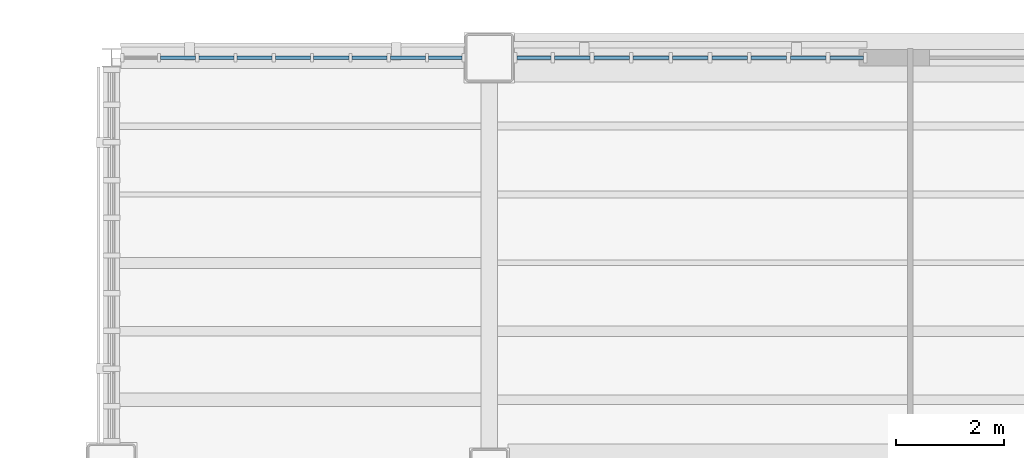
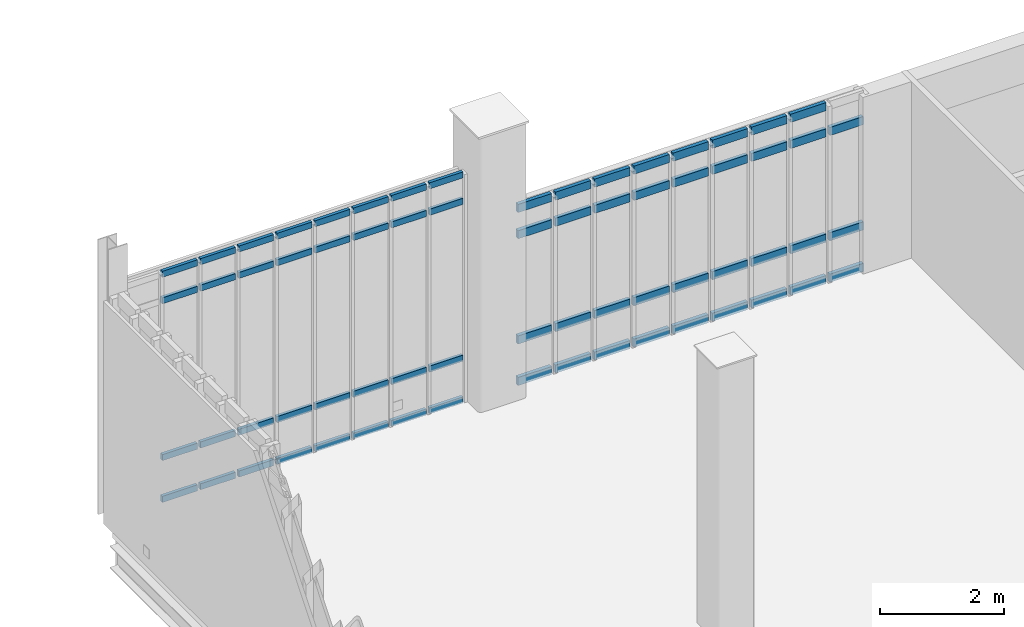
# One storey, part 66 of 127: 67 members, 2 elements without a shape of their own.
"""IFC4 building model written with IfcOpenShell, lengths in metres."""

import ifcopenshell
import ifcopenshell.guid

model = None  # the IFC model being written
_history = None  # IfcOwnerHistory: only IFC2X3 demands one
_inside = {}  # id of a spatial element -> (the spatial element, [elements in it])
_under = {}  # id of a project, library or spatial element -> (it, [spatial elements below it])
_declared = {}  # id of a project -> (the project, [libraries it declares])
_typed = {}  # id of a type object -> (the type object, [elements of that type])
_made_of = {}  # id of a material, layer set ... -> (it, [elements and type objects made of it])


def new_model(schema):
    """Start an empty IFC model of exactly this schema.

    Asked for "IFC4X3", IfcOpenShell would pick the latest addendum, in which some entities
    have other attributes; the version numbers below select the first issue.
    IFC2X3 requires an IfcOwnerHistory on every rooted entity: one is made here for all.
    """
    global model, _history
    if schema == "IFC4X3":
        model = ifcopenshell.file(schema_version=(4, 3, 0, 0))
    else:
        model = ifcopenshell.file(schema=schema)
    _inside.clear()
    _under.clear()
    _declared.clear()
    _typed.clear()
    _made_of.clear()
    _history = None
    if model.schema == "IFC2X3":
        org = make("IfcOrganization", Name="unknown")
        user = make(
            "IfcPersonAndOrganization",
            ThePerson=make("IfcPerson", FamilyName="unknown"),
            TheOrganization=org,
        )
        app = make(
            "IfcApplication",
            ApplicationDeveloper=org,
            Version="unknown",
            ApplicationFullName="unknown",
            ApplicationIdentifier="unknown",
        )
        _history = make(
            "IfcOwnerHistory",
            OwningUser=user,
            OwningApplication=app,
            ChangeAction="ADDED",
            CreationDate=0,
        )
    return model


def make(cls, **values):
    """One entity of the class cls with the attributes given. An attribute that is None is left unset."""
    return model.create_entity(
        cls, **{name: value for name, value in values.items() if value is not None}
    )


def rooted(cls, **values):
    """An entity with a GlobalId (a new one), such as an element, a storey or a relation."""
    return make(cls, GlobalId=ifcopenshell.guid.new(), OwnerHistory=_history, **values)


def si_unit(unit_type, name, prefix=None):
    """IfcSIUnit, for example si_unit("LENGTHUNIT", "METRE", prefix="MILLI")."""
    return make("IfcSIUnit", UnitType=unit_type, Prefix=prefix, Name=name)


def assignment(units):
    """IfcUnitAssignment: the units of a project."""
    return None if units is None else make("IfcUnitAssignment", Units=units)


def point(xyz):
    """IfcCartesianPoint."""
    return None if xyz is None else make("IfcCartesianPoint", Coordinates=xyz)


def direction(xyz):
    """IfcDirection."""
    return None if xyz is None else make("IfcDirection", DirectionRatios=xyz)


def frame(location, z_axis=None, x_axis=None):
    """IfcAxis2Placement3D, a coordinate frame: its origin and axes. An axis left out is left unset."""
    return make(
        "IfcAxis2Placement3D",
        Location=point(location),
        Axis=direction(z_axis),
        RefDirection=direction(x_axis),
    )


def frame_2d(location, x_axis=None):
    """IfcAxis2Placement2D, a coordinate frame in the plane: its origin and x axis."""
    return make(
        "IfcAxis2Placement2D", Location=point(location), RefDirection=direction(x_axis)
    )


def origin():
    """The frame at (0, 0, 0) with its axes left unset."""
    return frame((0.0, 0.0, 0.0))


def origin_2d():
    """The frame at (0, 0) in the plane with its x axis left unset."""
    return frame_2d((0.0, 0.0))


def place(relative_to, where):
    """IfcLocalPlacement: puts the frame where relative to a parent placement (None: the world)."""
    return make(
        "IfcLocalPlacement", PlacementRelTo=relative_to, RelativePlacement=where
    )


def context(
    kind, dimensions, precision=None, world=None, true_north=None, identifier=None
):
    """IfcGeometricRepresentationContext, for example the 3D "Model" context."""
    return make(
        "IfcGeometricRepresentationContext",
        ContextIdentifier=identifier,
        ContextType=kind,
        CoordinateSpaceDimension=dimensions,
        Precision=precision,
        WorldCoordinateSystem=world,
        TrueNorth=true_north,
    )


def subcontext(parent, identifier, kind, view, scale=None):
    """IfcGeometricRepresentationSubContext, for example "Body" below "Model"."""
    return make(
        "IfcGeometricRepresentationSubContext",
        ContextIdentifier=identifier,
        ContextType=kind,
        ParentContext=parent,
        TargetScale=scale,
        TargetView=view,
    )


def project(units=None, contexts=None):
    """IfcProject with its units and contexts."""
    return rooted(
        "IfcProject",
        Name="project",
        RepresentationContexts=contexts,
        UnitsInContext=assignment(units),
    )


def spatial(cls, under=None, at=None, **own):
    """A site, building, storey or space (cls), placed at a placement, below another one or the project."""
    s = rooted(cls, ObjectPlacement=at, **own)
    if under is not None:
        _under.setdefault(under.id(), (under, []))[1].append(s)
    return s


def profile(cls, at=None, kind="AREA", **sizes):
    """A parametric profile (cls). Its sizes go by their IFC names, for example OverallWidth=200.0."""
    return make(cls, ProfileType=kind, Position=at, **sizes)


def rectangle(**sizes):
    """IfcRectangleProfileDef."""
    return profile("IfcRectangleProfileDef", **sizes)


def extrude(swept, where, along, depth):
    """IfcExtrudedAreaSolid: the profile swept, set in the frame where, extruded along a direction by depth."""
    return make(
        "IfcExtrudedAreaSolid",
        SweptArea=swept,
        Position=where,
        ExtrudedDirection=direction(along),
        Depth=depth,
    )


def shape(context_of_items, identifier, shape_type, items):
    """IfcShapeRepresentation: the items that make up one representation, for example the "Body"."""
    return make(
        "IfcShapeRepresentation",
        ContextOfItems=context_of_items,
        RepresentationIdentifier=identifier,
        RepresentationType=shape_type,
        Items=items,
    )


def material(Name=None, Category=None):
    """IfcMaterial."""
    return make("IfcMaterial", Name=Name, Category=Category)


def material_profile(
    of_material, cross_section, Name=None, Category=None, Priority=None
):
    """IfcMaterialProfile: a cross section and its material."""
    return make(
        "IfcMaterialProfile",
        Name=Name,
        Material=of_material,
        Profile=cross_section,
        Priority=Priority,
        Category=Category,
    )


def profile_set(profiles, Name=None, composite=None):
    """IfcMaterialProfileSet."""
    return make(
        "IfcMaterialProfileSet",
        Name=Name,
        MaterialProfiles=profiles,
        CompositeProfile=composite,
    )


def made_of(thing, what):
    """Note that an element or type object is made of a material, layer set ...; save() writes the relation."""
    if what is not None:
        _made_of.setdefault(what.id(), (what, []))[1].append(thing)
    return thing


def type_object(cls, material=None, **own):
    """A type object (cls), such as IfcWallType, which elements share."""
    return made_of(rooted(cls, **own), material)


def element(
    cls,
    number,
    at=None,
    inside=None,
    cuts=None,
    type_object=None,
    material=None,
    context=None,
    identifier="Body",
    shape_type=None,
    held_by="IfcProductDefinitionShape",
    body=None,
    shapes=None,
    **own,
):
    """One element of the class cls, such as IfcWall. Its Tag is "e" and its number.

    at: its placement. inside: the storey or other place that contains it. cuts: it is an
    opening in that element (IfcRelVoidsElement). A single representation is given by context,
    identifier, shape_type and body (its items); several are given by shapes. held_by: the class
    of the entity that holds the representations. save() writes the other relations.
    """
    e = rooted(cls, Tag="e%d" % number, ObjectPlacement=at, **own)
    if body is not None:
        shapes = [shape(context, identifier, shape_type, body)]
    if shapes is not None:
        e.Representation = make(held_by, Representations=shapes)
    if inside is not None:
        _inside.setdefault(inside.id(), (inside, []))[1].append(e)
    if cuts is not None:
        rooted(
            "IfcRelVoidsElement", RelatingBuildingElement=cuts, RelatedOpeningElement=e
        )
    if type_object is not None:
        _typed.setdefault(type_object.id(), (type_object, []))[1].append(e)
    return made_of(e, material)


def aggregate(whole, parts):
    """IfcRelAggregates: a whole, such as a stair, and the parts it consists of."""
    return rooted("IfcRelAggregates", RelatingObject=whole, RelatedObjects=parts)


def save(model, path):
    """Write the relations noted so far, then the file.

    IfcRelAggregates (storeys below a building ...), IfcRelContainedInSpatialStructure (elements
    in a storey), IfcRelDefinesByType, IfcRelAssociatesMaterial and IfcRelDeclares: one each for
    every whole, place, type object, material and project.
    """
    for whole, parts in _under.values():
        aggregate(whole, parts)
    for where, things in _inside.values():
        rooted(
            "IfcRelContainedInSpatialStructure",
            RelatedElements=things,
            RelatingStructure=where,
        )
    for kind, things in _typed.values():
        rooted("IfcRelDefinesByType", RelatedObjects=things, RelatingType=kind)
    for what, things in _made_of.values():
        rooted("IfcRelAssociatesMaterial", RelatedObjects=things, RelatingMaterial=what)
    for by, libraries in _declared.values():
        rooted("IfcRelDeclares", RelatingContext=by, RelatedDefinitions=libraries)
    model.write(path)


model = new_model("IFC4")

# Units and contexts
model_context = context("Model", 3, precision=1e-05, world=origin(), true_north=direction((0.0, 1.0)))
body_context = subcontext(model_context, "Body", "Model", "MODEL_VIEW")
ifc_project = project(units=[si_unit("LENGTHUNIT", "METRE"), si_unit("AREAUNIT", "SQUARE_METRE"), si_unit("VOLUMEUNIT", "CUBIC_METRE"), si_unit("PLANEANGLEUNIT", "RADIAN"), si_unit("MASSUNIT", "GRAM", prefix="KILO")], contexts=[model_context])

# Site, building, storey
site_placement = place(None, origin())
site = spatial("IfcSite", under=ifc_project, at=site_placement, CompositionType="ELEMENT")
building_placement = place(site_placement, origin())
building = spatial("IfcBuilding", under=site, at=building_placement, Name="Larkvane Passage Sports Hall", CompositionType="ELEMENT")
storey_placement = place(building_placement, frame((0.0, 0.0, 5.39990234375)))
storey = spatial("IfcBuildingStorey", under=building, at=storey_placement, Name="L01", CompositionType="ELEMENT", Elevation=5.39990234375)

# Curtain wall, members
ifc_material_1 = material(Name="Thermally broken aluminium and low-E glazing", Category="aluminium")
curtain_wall_type_1 = type_object("IfcCurtainWallType", Name="CW-UNIT-COURT", PredefinedType="USERDEFINED", material=ifc_material_1)
curtain_wall_1_placement = place(storey_placement, origin())
curtain_wall_1 = element("IfcCurtainWall", 1, at=curtain_wall_1_placement, inside=storey, type_object=curtain_wall_type_1, Name="Curtain wall CW5-L01-052", ObjectType="UNITISED CURTAIN WALL", PredefinedType="USERDEFINED")
ifc_material_2 = material(Name="Anodised aluminium 6063-T6", Category="aluminium")
ifc_material_profile_1 = material_profile(ifc_material_2, rectangle(XDim=0.06005859375, YDim=0.1201171875, at=origin_2d()), Name="ALU-TRN-60x120")
ifc_profile_set_1 = profile_set([ifc_material_profile_1], Name="Anodised aluminium 6063-T6")
member_type_1 = type_object("IfcMemberType", Name="CW-TRN-60x120", PredefinedType="USERDEFINED", material=ifc_profile_set_1)
member_1_placement = place(storey_placement, frame((125.51025390625, 99.199951171875, 0.030029296875), z_axis=(1.0, 0.0, 0.0), x_axis=(0.0, 1.0, 0.0)))
member_1 = element("IfcMember", 2, at=member_1_placement, type_object=member_type_1, Name="CW-01 transom 2.1", ObjectType="TRANSOM", PredefinedType="USERDEFINED", context=body_context, shape_type="SweptSolid", body=[
    extrude(rectangle(XDim=0.06005859375, YDim=0.1201171875, at=origin_2d()), origin(), (0.0, 0.0, 1.0), 0.649169921875),
])
member_2_placement = place(storey_placement, frame((125.51025390625, 99.199951171875, 0.85009765625), z_axis=(1.0, 0.0, 0.0), x_axis=(0.0, 1.0, 0.0)))
member_2 = element("IfcMember", 3, at=member_2_placement, type_object=member_type_1, Name="CW-01 transom 2.2", ObjectType="TRANSOM", PredefinedType="USERDEFINED", context=body_context, shape_type="SweptSolid", body=[
    extrude(rectangle(XDim=0.06005859375, YDim=0.1201171875, at=origin_2d()), origin(), (0.0, 0.0, 1.0), 0.649169921875),
])
member_3_placement = place(storey_placement, frame((125.51025390625, 99.199951171875, 3.93017578125), z_axis=(1.0, 0.0, 0.0), x_axis=(0.0, 1.0, 0.0)))
member_3 = element("IfcMember", 4, at=member_3_placement, type_object=member_type_1, Name="CW-01 transom 2.3", ObjectType="TRANSOM", PredefinedType="USERDEFINED", context=body_context, shape_type="SweptSolid", body=[
    extrude(rectangle(XDim=0.06005859375, YDim=0.1201171875, at=origin_2d()), origin(), (0.0, 0.0, 1.0), 0.649169921875),
])
member_4_placement = place(storey_placement, frame((125.51025390625, 99.199951171875, 4.4501953125), z_axis=(1.0, 0.0, 0.0), x_axis=(0.0, 1.0, 0.0)))
member_4 = element("IfcMember", 5, at=member_4_placement, type_object=member_type_1, Name="CW-01 transom 2.4", ObjectType="TRANSOM", PredefinedType="USERDEFINED", context=body_context, shape_type="SweptSolid", body=[
    extrude(rectangle(XDim=0.06005859375, YDim=0.1201171875, at=origin_2d()), origin(), (0.0, 0.0, 1.0), 0.649169921875),
])
member_5_placement = place(storey_placement, frame((126.219482421875, 99.199951171875, 0.030029296875), z_axis=(1.0, 0.0, 0.0), x_axis=(0.0, 1.0, 0.0)))
member_5 = element("IfcMember", 6, at=member_5_placement, type_object=member_type_1, Name="CW-01 transom 3.1", ObjectType="TRANSOM", PredefinedType="USERDEFINED", context=body_context, shape_type="SweptSolid", body=[
    extrude(rectangle(XDim=0.06005859375, YDim=0.1201171875, at=origin_2d()), origin(), (0.0, 0.0, 1.0), 0.649169921875),
])
member_6_placement = place(storey_placement, frame((126.219482421875, 99.199951171875, 0.85009765625), z_axis=(1.0, 0.0, 0.0), x_axis=(0.0, 1.0, 0.0)))
member_6 = element("IfcMember", 7, at=member_6_placement, type_object=member_type_1, Name="CW-01 transom 3.2", ObjectType="TRANSOM", PredefinedType="USERDEFINED", context=body_context, shape_type="SweptSolid", body=[
    extrude(rectangle(XDim=0.06005859375, YDim=0.1201171875, at=origin_2d()), origin(), (0.0, 0.0, 1.0), 0.649169921875),
])
member_7_placement = place(storey_placement, frame((126.219482421875, 99.199951171875, 3.93017578125), z_axis=(1.0, 0.0, 0.0), x_axis=(0.0, 1.0, 0.0)))
member_7 = element("IfcMember", 8, at=member_7_placement, type_object=member_type_1, Name="CW-01 transom 3.3", ObjectType="TRANSOM", PredefinedType="USERDEFINED", context=body_context, shape_type="SweptSolid", body=[
    extrude(rectangle(XDim=0.06005859375, YDim=0.1201171875, at=origin_2d()), origin(), (0.0, 0.0, 1.0), 0.649169921875),
])
member_8_placement = place(storey_placement, frame((126.219482421875, 99.199951171875, 4.4501953125), z_axis=(1.0, 0.0, 0.0), x_axis=(0.0, 1.0, 0.0)))
member_8 = element("IfcMember", 9, at=member_8_placement, type_object=member_type_1, Name="CW-01 transom 3.4", ObjectType="TRANSOM", PredefinedType="USERDEFINED", context=body_context, shape_type="SweptSolid", body=[
    extrude(rectangle(XDim=0.06005859375, YDim=0.1201171875, at=origin_2d()), origin(), (0.0, 0.0, 1.0), 0.649169921875),
])
member_9_placement = place(storey_placement, frame((126.9287109375, 99.199951171875, 0.030029296875), z_axis=(1.0, 0.0, 0.0), x_axis=(0.0, 1.0, 0.0)))
member_9 = element("IfcMember", 10, at=member_9_placement, type_object=member_type_1, Name="CW-01 transom 4.1", ObjectType="TRANSOM", PredefinedType="USERDEFINED", context=body_context, shape_type="SweptSolid", body=[
    extrude(rectangle(XDim=0.06005859375, YDim=0.1201171875, at=origin_2d()), origin(), (0.0, 0.0, 1.0), 0.649169921875),
])
member_10_placement = place(storey_placement, frame((126.9287109375, 99.199951171875, 0.85009765625), z_axis=(1.0, 0.0, 0.0), x_axis=(0.0, 1.0, 0.0)))
member_10 = element("IfcMember", 11, at=member_10_placement, type_object=member_type_1, Name="CW-01 transom 4.2", ObjectType="TRANSOM", PredefinedType="USERDEFINED", context=body_context, shape_type="SweptSolid", body=[
    extrude(rectangle(XDim=0.06005859375, YDim=0.1201171875, at=origin_2d()), origin(), (0.0, 0.0, 1.0), 0.649169921875),
])
member_11_placement = place(storey_placement, frame((126.9287109375, 99.199951171875, 3.93017578125), z_axis=(1.0, 0.0, 0.0), x_axis=(0.0, 1.0, 0.0)))
member_11 = element("IfcMember", 12, at=member_11_placement, type_object=member_type_1, Name="CW-01 transom 4.3", ObjectType="TRANSOM", PredefinedType="USERDEFINED", context=body_context, shape_type="SweptSolid", body=[
    extrude(rectangle(XDim=0.06005859375, YDim=0.1201171875, at=origin_2d()), origin(), (0.0, 0.0, 1.0), 0.649169921875),
])
member_12_placement = place(storey_placement, frame((126.9287109375, 99.199951171875, 4.4501953125), z_axis=(1.0, 0.0, 0.0), x_axis=(0.0, 1.0, 0.0)))
member_12 = element("IfcMember", 13, at=member_12_placement, type_object=member_type_1, Name="CW-01 transom 4.4", ObjectType="TRANSOM", PredefinedType="USERDEFINED", context=body_context, shape_type="SweptSolid", body=[
    extrude(rectangle(XDim=0.06005859375, YDim=0.1201171875, at=origin_2d()), origin(), (0.0, 0.0, 1.0), 0.649169921875),
])
member_13_placement = place(storey_placement, frame((127.637939453125, 99.199951171875, 0.030029296875), z_axis=(1.0, 0.0, 0.0), x_axis=(0.0, 1.0, 0.0)))
member_13 = element("IfcMember", 14, at=member_13_placement, type_object=member_type_1, Name="CW-01 transom 5.1", ObjectType="TRANSOM", PredefinedType="USERDEFINED", context=body_context, shape_type="SweptSolid", body=[
    extrude(rectangle(XDim=0.06005859375, YDim=0.1201171875, at=origin_2d()), origin(), (0.0, 0.0, 1.0), 0.649169921875),
])
member_14_placement = place(storey_placement, frame((127.637939453125, 99.199951171875, 0.85009765625), z_axis=(1.0, 0.0, 0.0), x_axis=(0.0, 1.0, 0.0)))
member_14 = element("IfcMember", 15, at=member_14_placement, type_object=member_type_1, Name="CW-01 transom 5.2", ObjectType="TRANSOM", PredefinedType="USERDEFINED", context=body_context, shape_type="SweptSolid", body=[
    extrude(rectangle(XDim=0.06005859375, YDim=0.1201171875, at=origin_2d()), origin(), (0.0, 0.0, 1.0), 0.649169921875),
])
member_15_placement = place(storey_placement, frame((127.637939453125, 99.199951171875, 3.93017578125), z_axis=(1.0, 0.0, 0.0), x_axis=(0.0, 1.0, 0.0)))
member_15 = element("IfcMember", 16, at=member_15_placement, type_object=member_type_1, Name="CW-01 transom 5.3", ObjectType="TRANSOM", PredefinedType="USERDEFINED", context=body_context, shape_type="SweptSolid", body=[
    extrude(rectangle(XDim=0.06005859375, YDim=0.1201171875, at=origin_2d()), origin(), (0.0, 0.0, 1.0), 0.649169921875),
])
member_16_placement = place(storey_placement, frame((127.637939453125, 99.199951171875, 4.4501953125), z_axis=(1.0, 0.0, 0.0), x_axis=(0.0, 1.0, 0.0)))
member_16 = element("IfcMember", 17, at=member_16_placement, type_object=member_type_1, Name="CW-01 transom 5.4", ObjectType="TRANSOM", PredefinedType="USERDEFINED", context=body_context, shape_type="SweptSolid", body=[
    extrude(rectangle(XDim=0.06005859375, YDim=0.1201171875, at=origin_2d()), origin(), (0.0, 0.0, 1.0), 0.649169921875),
])
member_17_placement = place(storey_placement, frame((128.34716796875, 99.199951171875, 0.030029296875), z_axis=(1.0, 0.0, 0.0), x_axis=(0.0, 1.0, 0.0)))
member_17 = element("IfcMember", 18, at=member_17_placement, type_object=member_type_1, Name="CW-01 transom 6.1", ObjectType="TRANSOM", PredefinedType="USERDEFINED", context=body_context, shape_type="SweptSolid", body=[
    extrude(rectangle(XDim=0.06005859375, YDim=0.1201171875, at=origin_2d()), origin(), (0.0, 0.0, 1.0), 0.649169921875),
])
member_18_placement = place(storey_placement, frame((128.34716796875, 99.199951171875, 0.85009765625), z_axis=(1.0, 0.0, 0.0), x_axis=(0.0, 1.0, 0.0)))
member_18 = element("IfcMember", 19, at=member_18_placement, type_object=member_type_1, Name="CW-01 transom 6.2", ObjectType="TRANSOM", PredefinedType="USERDEFINED", context=body_context, shape_type="SweptSolid", body=[
    extrude(rectangle(XDim=0.06005859375, YDim=0.1201171875, at=origin_2d()), origin(), (0.0, 0.0, 1.0), 0.649169921875),
])
member_19_placement = place(storey_placement, frame((128.34716796875, 99.199951171875, 3.93017578125), z_axis=(1.0, 0.0, 0.0), x_axis=(0.0, 1.0, 0.0)))
member_19 = element("IfcMember", 20, at=member_19_placement, type_object=member_type_1, Name="CW-01 transom 6.3", ObjectType="TRANSOM", PredefinedType="USERDEFINED", context=body_context, shape_type="SweptSolid", body=[
    extrude(rectangle(XDim=0.06005859375, YDim=0.1201171875, at=origin_2d()), origin(), (0.0, 0.0, 1.0), 0.649169921875),
])
member_20_placement = place(storey_placement, frame((128.34716796875, 99.199951171875, 4.4501953125), z_axis=(1.0, 0.0, 0.0), x_axis=(0.0, 1.0, 0.0)))
member_20 = element("IfcMember", 21, at=member_20_placement, type_object=member_type_1, Name="CW-01 transom 6.4", ObjectType="TRANSOM", PredefinedType="USERDEFINED", context=body_context, shape_type="SweptSolid", body=[
    extrude(rectangle(XDim=0.06005859375, YDim=0.1201171875, at=origin_2d()), origin(), (0.0, 0.0, 1.0), 0.649169921875),
])
member_21_placement = place(storey_placement, frame((129.056396484375, 99.199951171875, 0.030029296875), z_axis=(1.0, 0.0, 0.0), x_axis=(0.0, 1.0, 0.0)))
member_21 = element("IfcMember", 22, at=member_21_placement, type_object=member_type_1, Name="CW-01 transom 7.1", ObjectType="TRANSOM", PredefinedType="USERDEFINED", context=body_context, shape_type="SweptSolid", body=[
    extrude(rectangle(XDim=0.06005859375, YDim=0.1201171875, at=origin_2d()), origin(), (0.0, 0.0, 1.0), 0.649169921875),
])
member_22_placement = place(storey_placement, frame((129.056396484375, 99.199951171875, 0.85009765625), z_axis=(1.0, 0.0, 0.0), x_axis=(0.0, 1.0, 0.0)))
member_22 = element("IfcMember", 23, at=member_22_placement, type_object=member_type_1, Name="CW-01 transom 7.2", ObjectType="TRANSOM", PredefinedType="USERDEFINED", context=body_context, shape_type="SweptSolid", body=[
    extrude(rectangle(XDim=0.06005859375, YDim=0.1201171875, at=origin_2d()), origin(), (0.0, 0.0, 1.0), 0.649169921875),
])
member_23_placement = place(storey_placement, frame((129.056396484375, 99.199951171875, 3.93017578125), z_axis=(1.0, 0.0, 0.0), x_axis=(0.0, 1.0, 0.0)))
member_23 = element("IfcMember", 24, at=member_23_placement, type_object=member_type_1, Name="CW-01 transom 7.3", ObjectType="TRANSOM", PredefinedType="USERDEFINED", context=body_context, shape_type="SweptSolid", body=[
    extrude(rectangle(XDim=0.06005859375, YDim=0.1201171875, at=origin_2d()), origin(), (0.0, 0.0, 1.0), 0.649169921875),
])
member_24_placement = place(storey_placement, frame((129.056396484375, 99.199951171875, 4.4501953125), z_axis=(1.0, 0.0, 0.0), x_axis=(0.0, 1.0, 0.0)))
member_24 = element("IfcMember", 25, at=member_24_placement, type_object=member_type_1, Name="CW-01 transom 7.4", ObjectType="TRANSOM", PredefinedType="USERDEFINED", context=body_context, shape_type="SweptSolid", body=[
    extrude(rectangle(XDim=0.06005859375, YDim=0.1201171875, at=origin_2d()), origin(), (0.0, 0.0, 1.0), 0.649169921875),
])
member_25_placement = place(storey_placement, frame((129.765625, 99.199951171875, 0.030029296875), z_axis=(1.0, 0.0, 0.0), x_axis=(0.0, 1.0, 0.0)))
member_25 = element("IfcMember", 26, at=member_25_placement, type_object=member_type_1, Name="CW-01 transom 8.1", ObjectType="TRANSOM", PredefinedType="USERDEFINED", context=body_context, shape_type="SweptSolid", body=[
    extrude(rectangle(XDim=0.06005859375, YDim=0.1201171875, at=origin_2d()), origin(), (0.0, 0.0, 1.0), 0.649169921875),
])
member_26_placement = place(storey_placement, frame((129.765625, 99.199951171875, 0.85009765625), z_axis=(1.0, 0.0, 0.0), x_axis=(0.0, 1.0, 0.0)))
member_26 = element("IfcMember", 27, at=member_26_placement, type_object=member_type_1, Name="CW-01 transom 8.2", ObjectType="TRANSOM", PredefinedType="USERDEFINED", context=body_context, shape_type="SweptSolid", body=[
    extrude(rectangle(XDim=0.06005859375, YDim=0.1201171875, at=origin_2d()), origin(), (0.0, 0.0, 1.0), 0.649169921875),
])
member_27_placement = place(storey_placement, frame((129.765625, 99.199951171875, 3.93017578125), z_axis=(1.0, 0.0, 0.0), x_axis=(0.0, 1.0, 0.0)))
member_27 = element("IfcMember", 28, at=member_27_placement, type_object=member_type_1, Name="CW-01 transom 8.3", ObjectType="TRANSOM", PredefinedType="USERDEFINED", context=body_context, shape_type="SweptSolid", body=[
    extrude(rectangle(XDim=0.06005859375, YDim=0.1201171875, at=origin_2d()), origin(), (0.0, 0.0, 1.0), 0.649169921875),
])
member_28_placement = place(storey_placement, frame((129.765625, 99.199951171875, 4.4501953125), z_axis=(1.0, 0.0, 0.0), x_axis=(0.0, 1.0, 0.0)))
member_28 = element("IfcMember", 29, at=member_28_placement, type_object=member_type_1, Name="CW-01 transom 8.4", ObjectType="TRANSOM", PredefinedType="USERDEFINED", context=body_context, shape_type="SweptSolid", body=[
    extrude(rectangle(XDim=0.06005859375, YDim=0.1201171875, at=origin_2d()), origin(), (0.0, 0.0, 1.0), 0.649169921875),
])
member_29_placement = place(storey_placement, frame((130.474853515625, 99.199951171875, 0.030029296875), z_axis=(1.0, 0.0, 0.0), x_axis=(0.0, 1.0, 0.0)))
member_29 = element("IfcMember", 30, at=member_29_placement, type_object=member_type_1, Name="CW-01 transom 9.1", ObjectType="TRANSOM", PredefinedType="USERDEFINED", context=body_context, shape_type="SweptSolid", body=[
    extrude(rectangle(XDim=0.06005859375, YDim=0.1201171875, at=origin_2d()), origin(), (0.0, 0.0, 1.0), 0.619140625),
])
member_30_placement = place(storey_placement, frame((130.474853515625, 99.199951171875, 0.85009765625), z_axis=(1.0, 0.0, 0.0), x_axis=(0.0, 1.0, 0.0)))
member_30 = element("IfcMember", 31, at=member_30_placement, type_object=member_type_1, Name="CW-01 transom 9.2", ObjectType="TRANSOM", PredefinedType="USERDEFINED", context=body_context, shape_type="SweptSolid", body=[
    extrude(rectangle(XDim=0.06005859375, YDim=0.1201171875, at=origin_2d()), origin(), (0.0, 0.0, 1.0), 0.619140625),
])
member_31_placement = place(storey_placement, frame((130.474853515625, 99.199951171875, 3.93017578125), z_axis=(1.0, 0.0, 0.0), x_axis=(0.0, 1.0, 0.0)))
member_31 = element("IfcMember", 32, at=member_31_placement, type_object=member_type_1, Name="CW-01 transom 9.3", ObjectType="TRANSOM", PredefinedType="USERDEFINED", context=body_context, shape_type="SweptSolid", body=[
    extrude(rectangle(XDim=0.06005859375, YDim=0.1201171875, at=origin_2d()), origin(), (0.0, 0.0, 1.0), 0.619140625),
])
member_32_placement = place(storey_placement, frame((130.474853515625, 99.199951171875, 4.4501953125), z_axis=(1.0, 0.0, 0.0), x_axis=(0.0, 1.0, 0.0)))
member_32 = element("IfcMember", 33, at=member_32_placement, type_object=member_type_1, Name="CW-01 transom 9.4", ObjectType="TRANSOM", PredefinedType="USERDEFINED", context=body_context, shape_type="SweptSolid", body=[
    extrude(rectangle(XDim=0.06005859375, YDim=0.1201171875, at=origin_2d()), origin(), (0.0, 0.0, 1.0), 0.619140625),
])
aggregate(curtain_wall_1, [member_1, member_2, member_3, member_4, member_5, member_6, member_7, member_8, member_9, member_10, member_11, member_12, member_13, member_14, member_15, member_16, member_17, member_18, member_19, member_20, member_21, member_22, member_23, member_24, member_25, member_26, member_27, member_28, member_29, member_30, member_31, member_32])

curtain_wall_type_2 = type_object("IfcCurtainWallType", Name="CW-UNIT-VEIL", PredefinedType="USERDEFINED", material=ifc_material_1)
curtain_wall_2_placement = place(storey_placement, origin())
curtain_wall_2 = element("IfcCurtainWall", 34, at=curtain_wall_2_placement, inside=storey, type_object=curtain_wall_type_2, Name="Curtain wall CW5-L01-053", ObjectType="UNITISED CURTAIN WALL", PredefinedType="USERDEFINED")
ifc_material_profile_2 = material_profile(ifc_material_2, rectangle(XDim=0.070068359375, YDim=0.159912109375, at=origin_2d()), Name="ALU-TRN-70x160")
ifc_profile_set_2 = profile_set([ifc_material_profile_2], Name="Anodised aluminium 6063-T6")
member_type_2 = type_object("IfcMemberType", Name="CW-TRN-70x160", PredefinedType="USERDEFINED", material=ifc_profile_set_2)
member_33_placement = place(storey_placement, frame((132.115966796875, 99.199951171875, 0.03515625), z_axis=(1.0, 0.0, 0.0), x_axis=(0.0, 1.0, 0.0)))
member_33 = element("IfcMember", 35, at=member_33_placement, type_object=member_type_2, Name="CW-02 transom 1.1", ObjectType="TRANSOM", PredefinedType="USERDEFINED", context=body_context, shape_type="SweptSolid", body=[
    extrude(rectangle(XDim=0.070068359375, YDim=0.159912109375, at=origin_2d()), origin(), (0.0, 0.0, 1.0), 0.623291015625),
])
member_34_placement = place(storey_placement, frame((132.115966796875, 99.199951171875, 0.85009765625), z_axis=(1.0, 0.0, 0.0), x_axis=(0.0, 1.0, 0.0)))
member_34 = element("IfcMember", 36, at=member_34_placement, type_object=member_type_2, Name="CW-02 transom 1.2", ObjectType="TRANSOM", PredefinedType="USERDEFINED", context=body_context, shape_type="SweptSolid", body=[
    extrude(rectangle(XDim=0.070068359375, YDim=0.159912109375, at=origin_2d()), origin(), (0.0, 0.0, 1.0), 0.623291015625),
])
member_35_placement = place(storey_placement, frame((132.115966796875, 99.199951171875, 2.918212890625), z_axis=(1.0, 0.0, 0.0), x_axis=(0.0, 1.0, 0.0)))
member_35 = element("IfcMember", 37, at=member_35_placement, type_object=member_type_2, Name="CW-02 transom 1.3", ObjectType="TRANSOM", PredefinedType="USERDEFINED", context=body_context, shape_type="SweptSolid", body=[
    extrude(rectangle(XDim=0.070068359375, YDim=0.159912109375, at=origin_2d()), origin(), (0.0, 0.0, 1.0), 0.623291015625),
])
member_36_placement = place(storey_placement, frame((132.115966796875, 99.199951171875, 3.43310546875), z_axis=(1.0, 0.0, 0.0), x_axis=(0.0, 1.0, 0.0)))
member_36 = element("IfcMember", 38, at=member_36_placement, type_object=member_type_2, Name="CW-02 transom 1.4", ObjectType="TRANSOM", PredefinedType="USERDEFINED", context=body_context, shape_type="SweptSolid", body=[
    extrude(rectangle(XDim=0.070068359375, YDim=0.159912109375, at=origin_2d()), origin(), (0.0, 0.0, 1.0), 0.623291015625),
])
member_37_placement = place(storey_placement, frame((132.809326171875, 99.199951171875, 0.03515625), z_axis=(1.0, 0.0, 0.0), x_axis=(0.0, 1.0, 0.0)))
member_37 = element("IfcMember", 39, at=member_37_placement, type_object=member_type_2, Name="CW-02 transom 2.1", ObjectType="TRANSOM", PredefinedType="USERDEFINED", context=body_context, shape_type="SweptSolid", body=[
    extrude(rectangle(XDim=0.070068359375, YDim=0.159912109375, at=origin_2d()), origin(), (0.0, 0.0, 1.0), 0.658203125),
])
member_38_placement = place(storey_placement, frame((132.809326171875, 99.199951171875, 0.85009765625), z_axis=(1.0, 0.0, 0.0), x_axis=(0.0, 1.0, 0.0)))
member_38 = element("IfcMember", 40, at=member_38_placement, type_object=member_type_2, Name="CW-02 transom 2.2", ObjectType="TRANSOM", PredefinedType="USERDEFINED", context=body_context, shape_type="SweptSolid", body=[
    extrude(rectangle(XDim=0.070068359375, YDim=0.159912109375, at=origin_2d()), origin(), (0.0, 0.0, 1.0), 0.658203125),
])
member_39_placement = place(storey_placement, frame((132.809326171875, 99.199951171875, 2.918212890625), z_axis=(1.0, 0.0, 0.0), x_axis=(0.0, 1.0, 0.0)))
member_39 = element("IfcMember", 41, at=member_39_placement, type_object=member_type_2, Name="CW-02 transom 2.3", ObjectType="TRANSOM", PredefinedType="USERDEFINED", context=body_context, shape_type="SweptSolid", body=[
    extrude(rectangle(XDim=0.070068359375, YDim=0.159912109375, at=origin_2d()), origin(), (0.0, 0.0, 1.0), 0.658203125),
])
member_40_placement = place(storey_placement, frame((132.809326171875, 99.199951171875, 3.43310546875), z_axis=(1.0, 0.0, 0.0), x_axis=(0.0, 1.0, 0.0)))
member_40 = element("IfcMember", 42, at=member_40_placement, type_object=member_type_2, Name="CW-02 transom 2.4", ObjectType="TRANSOM", PredefinedType="USERDEFINED", context=body_context, shape_type="SweptSolid", body=[
    extrude(rectangle(XDim=0.070068359375, YDim=0.159912109375, at=origin_2d()), origin(), (0.0, 0.0, 1.0), 0.658203125),
])
member_41_placement = place(storey_placement, frame((133.537353515625, 99.199951171875, 0.03515625), z_axis=(1.0, 0.0, 0.0), x_axis=(0.0, 1.0, 0.0)))
member_41 = element("IfcMember", 43, at=member_41_placement, type_object=member_type_2, Name="CW-02 transom 3.1", ObjectType="TRANSOM", PredefinedType="USERDEFINED", context=body_context, shape_type="SweptSolid", body=[
    extrude(rectangle(XDim=0.070068359375, YDim=0.159912109375, at=origin_2d()), origin(), (0.0, 0.0, 1.0), 0.658203125),
])
member_42_placement = place(storey_placement, frame((133.537353515625, 99.199951171875, 0.85009765625), z_axis=(1.0, 0.0, 0.0), x_axis=(0.0, 1.0, 0.0)))
member_42 = element("IfcMember", 44, at=member_42_placement, type_object=member_type_2, Name="CW-02 transom 3.2", ObjectType="TRANSOM", PredefinedType="USERDEFINED", context=body_context, shape_type="SweptSolid", body=[
    extrude(rectangle(XDim=0.070068359375, YDim=0.159912109375, at=origin_2d()), origin(), (0.0, 0.0, 1.0), 0.658203125),
])
member_43_placement = place(storey_placement, frame((133.537353515625, 99.199951171875, 2.918212890625), z_axis=(1.0, 0.0, 0.0), x_axis=(0.0, 1.0, 0.0)))
member_43 = element("IfcMember", 45, at=member_43_placement, type_object=member_type_2, Name="CW-02 transom 3.3", ObjectType="TRANSOM", PredefinedType="USERDEFINED", context=body_context, shape_type="SweptSolid", body=[
    extrude(rectangle(XDim=0.070068359375, YDim=0.159912109375, at=origin_2d()), origin(), (0.0, 0.0, 1.0), 0.658203125),
])
member_44_placement = place(storey_placement, frame((133.537353515625, 99.199951171875, 3.43310546875), z_axis=(1.0, 0.0, 0.0), x_axis=(0.0, 1.0, 0.0)))
member_44 = element("IfcMember", 46, at=member_44_placement, type_object=member_type_2, Name="CW-02 transom 3.4", ObjectType="TRANSOM", PredefinedType="USERDEFINED", context=body_context, shape_type="SweptSolid", body=[
    extrude(rectangle(XDim=0.070068359375, YDim=0.159912109375, at=origin_2d()), origin(), (0.0, 0.0, 1.0), 0.658203125),
])
member_45_placement = place(storey_placement, frame((134.265625, 99.199951171875, 0.03515625), z_axis=(1.0, 0.0, 0.0), x_axis=(0.0, 1.0, 0.0)))
member_45 = element("IfcMember", 47, at=member_45_placement, type_object=member_type_2, Name="CW-02 transom 4.1", ObjectType="TRANSOM", PredefinedType="USERDEFINED", context=body_context, shape_type="SweptSolid", body=[
    extrude(rectangle(XDim=0.070068359375, YDim=0.159912109375, at=origin_2d()), origin(), (0.0, 0.0, 1.0), 0.658203125),
])
member_46_placement = place(storey_placement, frame((134.265625, 99.199951171875, 0.85009765625), z_axis=(1.0, 0.0, 0.0), x_axis=(0.0, 1.0, 0.0)))
member_46 = element("IfcMember", 48, at=member_46_placement, type_object=member_type_2, Name="CW-02 transom 4.2", ObjectType="TRANSOM", PredefinedType="USERDEFINED", context=body_context, shape_type="SweptSolid", body=[
    extrude(rectangle(XDim=0.070068359375, YDim=0.159912109375, at=origin_2d()), origin(), (0.0, 0.0, 1.0), 0.658203125),
])
member_47_placement = place(storey_placement, frame((134.265625, 99.199951171875, 2.918212890625), z_axis=(1.0, 0.0, 0.0), x_axis=(0.0, 1.0, 0.0)))
member_47 = element("IfcMember", 49, at=member_47_placement, type_object=member_type_2, Name="CW-02 transom 4.3", ObjectType="TRANSOM", PredefinedType="USERDEFINED", context=body_context, shape_type="SweptSolid", body=[
    extrude(rectangle(XDim=0.070068359375, YDim=0.159912109375, at=origin_2d()), origin(), (0.0, 0.0, 1.0), 0.658203125),
])
member_48_placement = place(storey_placement, frame((134.265625, 99.199951171875, 3.43310546875), z_axis=(1.0, 0.0, 0.0), x_axis=(0.0, 1.0, 0.0)))
member_48 = element("IfcMember", 50, at=member_48_placement, type_object=member_type_2, Name="CW-02 transom 4.4", ObjectType="TRANSOM", PredefinedType="USERDEFINED", context=body_context, shape_type="SweptSolid", body=[
    extrude(rectangle(XDim=0.070068359375, YDim=0.159912109375, at=origin_2d()), origin(), (0.0, 0.0, 1.0), 0.658203125),
])
member_49_placement = place(storey_placement, frame((134.993896484375, 99.199951171875, 0.03515625), z_axis=(1.0, 0.0, 0.0), x_axis=(0.0, 1.0, 0.0)))
member_49 = element("IfcMember", 51, at=member_49_placement, type_object=member_type_2, Name="CW-02 transom 5.1", ObjectType="TRANSOM", PredefinedType="USERDEFINED", context=body_context, shape_type="SweptSolid", body=[
    extrude(rectangle(XDim=0.070068359375, YDim=0.159912109375, at=origin_2d()), origin(), (0.0, 0.0, 1.0), 0.658203125),
])
member_50_placement = place(storey_placement, frame((134.993896484375, 99.199951171875, 0.85009765625), z_axis=(1.0, 0.0, 0.0), x_axis=(0.0, 1.0, 0.0)))
member_50 = element("IfcMember", 52, at=member_50_placement, type_object=member_type_2, Name="CW-02 transom 5.2", ObjectType="TRANSOM", PredefinedType="USERDEFINED", context=body_context, shape_type="SweptSolid", body=[
    extrude(rectangle(XDim=0.070068359375, YDim=0.159912109375, at=origin_2d()), origin(), (0.0, 0.0, 1.0), 0.658203125),
])
member_51_placement = place(storey_placement, frame((134.993896484375, 99.199951171875, 2.918212890625), z_axis=(1.0, 0.0, 0.0), x_axis=(0.0, 1.0, 0.0)))
member_51 = element("IfcMember", 53, at=member_51_placement, type_object=member_type_2, Name="CW-02 transom 5.3", ObjectType="TRANSOM", PredefinedType="USERDEFINED", context=body_context, shape_type="SweptSolid", body=[
    extrude(rectangle(XDim=0.070068359375, YDim=0.159912109375, at=origin_2d()), origin(), (0.0, 0.0, 1.0), 0.658203125),
])
member_52_placement = place(storey_placement, frame((134.993896484375, 99.199951171875, 3.43310546875), z_axis=(1.0, 0.0, 0.0), x_axis=(0.0, 1.0, 0.0)))
member_52 = element("IfcMember", 54, at=member_52_placement, type_object=member_type_2, Name="CW-02 transom 5.4", ObjectType="TRANSOM", PredefinedType="USERDEFINED", context=body_context, shape_type="SweptSolid", body=[
    extrude(rectangle(XDim=0.070068359375, YDim=0.159912109375, at=origin_2d()), origin(), (0.0, 0.0, 1.0), 0.658203125),
])
member_53_placement = place(storey_placement, frame((135.72216796875, 99.199951171875, 0.03515625), z_axis=(1.0, 0.0, 0.0), x_axis=(0.0, 1.0, 0.0)))
member_53 = element("IfcMember", 55, at=member_53_placement, type_object=member_type_2, Name="CW-02 transom 6.1", ObjectType="TRANSOM", PredefinedType="USERDEFINED", context=body_context, shape_type="SweptSolid", body=[
    extrude(rectangle(XDim=0.070068359375, YDim=0.159912109375, at=origin_2d()), origin(), (0.0, 0.0, 1.0), 0.658203125),
])
member_54_placement = place(storey_placement, frame((135.72216796875, 99.199951171875, 0.85009765625), z_axis=(1.0, 0.0, 0.0), x_axis=(0.0, 1.0, 0.0)))
member_54 = element("IfcMember", 56, at=member_54_placement, type_object=member_type_2, Name="CW-02 transom 6.2", ObjectType="TRANSOM", PredefinedType="USERDEFINED", context=body_context, shape_type="SweptSolid", body=[
    extrude(rectangle(XDim=0.070068359375, YDim=0.159912109375, at=origin_2d()), origin(), (0.0, 0.0, 1.0), 0.658203125),
])
member_55_placement = place(storey_placement, frame((135.72216796875, 99.199951171875, 2.918212890625), z_axis=(1.0, 0.0, 0.0), x_axis=(0.0, 1.0, 0.0)))
member_55 = element("IfcMember", 57, at=member_55_placement, type_object=member_type_2, Name="CW-02 transom 6.3", ObjectType="TRANSOM", PredefinedType="USERDEFINED", context=body_context, shape_type="SweptSolid", body=[
    extrude(rectangle(XDim=0.070068359375, YDim=0.159912109375, at=origin_2d()), origin(), (0.0, 0.0, 1.0), 0.658203125),
])
member_56_placement = place(storey_placement, frame((135.72216796875, 99.199951171875, 3.43310546875), z_axis=(1.0, 0.0, 0.0), x_axis=(0.0, 1.0, 0.0)))
member_56 = element("IfcMember", 58, at=member_56_placement, type_object=member_type_2, Name="CW-02 transom 6.4", ObjectType="TRANSOM", PredefinedType="USERDEFINED", context=body_context, shape_type="SweptSolid", body=[
    extrude(rectangle(XDim=0.070068359375, YDim=0.159912109375, at=origin_2d()), origin(), (0.0, 0.0, 1.0), 0.658203125),
])
member_57_placement = place(storey_placement, frame((136.450439453125, 99.199951171875, 0.03515625), z_axis=(1.0, 0.0, 0.0), x_axis=(0.0, 1.0, 0.0)))
member_57 = element("IfcMember", 59, at=member_57_placement, type_object=member_type_2, Name="CW-02 transom 7.1", ObjectType="TRANSOM", PredefinedType="USERDEFINED", context=body_context, shape_type="SweptSolid", body=[
    extrude(rectangle(XDim=0.070068359375, YDim=0.159912109375, at=origin_2d()), origin(), (0.0, 0.0, 1.0), 0.658203125),
])
member_58_placement = place(storey_placement, frame((136.450439453125, 99.199951171875, 0.85009765625), z_axis=(1.0, 0.0, 0.0), x_axis=(0.0, 1.0, 0.0)))
member_58 = element("IfcMember", 60, at=member_58_placement, type_object=member_type_2, Name="CW-02 transom 7.2", ObjectType="TRANSOM", PredefinedType="USERDEFINED", context=body_context, shape_type="SweptSolid", body=[
    extrude(rectangle(XDim=0.070068359375, YDim=0.159912109375, at=origin_2d()), origin(), (0.0, 0.0, 1.0), 0.658203125),
])
member_59_placement = place(storey_placement, frame((136.450439453125, 99.199951171875, 2.918212890625), z_axis=(1.0, 0.0, 0.0), x_axis=(0.0, 1.0, 0.0)))
member_59 = element("IfcMember", 61, at=member_59_placement, type_object=member_type_2, Name="CW-02 transom 7.3", ObjectType="TRANSOM", PredefinedType="USERDEFINED", context=body_context, shape_type="SweptSolid", body=[
    extrude(rectangle(XDim=0.070068359375, YDim=0.159912109375, at=origin_2d()), origin(), (0.0, 0.0, 1.0), 0.658203125),
])
member_60_placement = place(storey_placement, frame((136.450439453125, 99.199951171875, 3.43310546875), z_axis=(1.0, 0.0, 0.0), x_axis=(0.0, 1.0, 0.0)))
member_60 = element("IfcMember", 62, at=member_60_placement, type_object=member_type_2, Name="CW-02 transom 7.4", ObjectType="TRANSOM", PredefinedType="USERDEFINED", context=body_context, shape_type="SweptSolid", body=[
    extrude(rectangle(XDim=0.070068359375, YDim=0.159912109375, at=origin_2d()), origin(), (0.0, 0.0, 1.0), 0.658203125),
])
member_61_placement = place(storey_placement, frame((137.178466796875, 99.199951171875, 0.03515625), z_axis=(1.0, 0.0, 0.0), x_axis=(0.0, 1.0, 0.0)))
member_61 = element("IfcMember", 63, at=member_61_placement, type_object=member_type_2, Name="CW-02 transom 8.1", ObjectType="TRANSOM", PredefinedType="USERDEFINED", context=body_context, shape_type="SweptSolid", body=[
    extrude(rectangle(XDim=0.070068359375, YDim=0.159912109375, at=origin_2d()), origin(), (0.0, 0.0, 1.0), 0.658203125),
])
member_62_placement = place(storey_placement, frame((137.178466796875, 99.199951171875, 0.85009765625), z_axis=(1.0, 0.0, 0.0), x_axis=(0.0, 1.0, 0.0)))
member_62 = element("IfcMember", 64, at=member_62_placement, type_object=member_type_2, Name="CW-02 transom 8.2", ObjectType="TRANSOM", PredefinedType="USERDEFINED", context=body_context, shape_type="SweptSolid", body=[
    extrude(rectangle(XDim=0.070068359375, YDim=0.159912109375, at=origin_2d()), origin(), (0.0, 0.0, 1.0), 0.658203125),
])
member_63_placement = place(storey_placement, frame((137.178466796875, 99.199951171875, 2.918212890625), z_axis=(1.0, 0.0, 0.0), x_axis=(0.0, 1.0, 0.0)))
member_63 = element("IfcMember", 65, at=member_63_placement, type_object=member_type_2, Name="CW-02 transom 8.3", ObjectType="TRANSOM", PredefinedType="USERDEFINED", context=body_context, shape_type="SweptSolid", body=[
    extrude(rectangle(XDim=0.070068359375, YDim=0.159912109375, at=origin_2d()), origin(), (0.0, 0.0, 1.0), 0.658203125),
])
member_64_placement = place(storey_placement, frame((137.178466796875, 99.199951171875, 3.43310546875), z_axis=(1.0, 0.0, 0.0), x_axis=(0.0, 1.0, 0.0)))
member_64 = element("IfcMember", 66, at=member_64_placement, type_object=member_type_2, Name="CW-02 transom 8.4", ObjectType="TRANSOM", PredefinedType="USERDEFINED", context=body_context, shape_type="SweptSolid", body=[
    extrude(rectangle(XDim=0.070068359375, YDim=0.159912109375, at=origin_2d()), origin(), (0.0, 0.0, 1.0), 0.658203125),
])
member_65_placement = place(storey_placement, frame((137.90673828125, 99.199951171875, 0.03515625), z_axis=(1.0, 0.0, 0.0), x_axis=(0.0, 1.0, 0.0)))
member_65 = element("IfcMember", 67, at=member_65_placement, type_object=member_type_2, Name="CW-02 transom 9.1", ObjectType="TRANSOM", PredefinedType="USERDEFINED", context=body_context, shape_type="SweptSolid", body=[
    extrude(rectangle(XDim=0.070068359375, YDim=0.159912109375, at=origin_2d()), origin(), (0.0, 0.0, 1.0), 0.623291015625),
])
member_66_placement = place(storey_placement, frame((137.90673828125, 99.199951171875, 0.85009765625), z_axis=(1.0, 0.0, 0.0), x_axis=(0.0, 1.0, 0.0)))
member_66 = element("IfcMember", 68, at=member_66_placement, type_object=member_type_2, Name="CW-02 transom 9.2", ObjectType="TRANSOM", PredefinedType="USERDEFINED", context=body_context, shape_type="SweptSolid", body=[
    extrude(rectangle(XDim=0.070068359375, YDim=0.159912109375, at=origin_2d()), origin(), (0.0, 0.0, 1.0), 0.623291015625),
])
member_67_placement = place(storey_placement, frame((137.90673828125, 99.199951171875, 2.918212890625), z_axis=(1.0, 0.0, 0.0), x_axis=(0.0, 1.0, 0.0)))
member_67 = element("IfcMember", 69, at=member_67_placement, type_object=member_type_2, Name="CW-02 transom 9.3", ObjectType="TRANSOM", PredefinedType="USERDEFINED", context=body_context, shape_type="SweptSolid", body=[
    extrude(rectangle(XDim=0.070068359375, YDim=0.159912109375, at=origin_2d()), origin(), (0.0, 0.0, 1.0), 0.623291015625),
])
aggregate(curtain_wall_2, [member_33, member_34, member_35, member_36, member_37, member_38, member_39, member_40, member_41, member_42, member_43, member_44, member_45, member_46, member_47, member_48, member_49, member_50, member_51, member_52, member_53, member_54, member_55, member_56, member_57, member_58, member_59, member_60, member_61, member_62, member_63, member_64, member_65, member_66, member_67])

save(model, "model.ifc")
